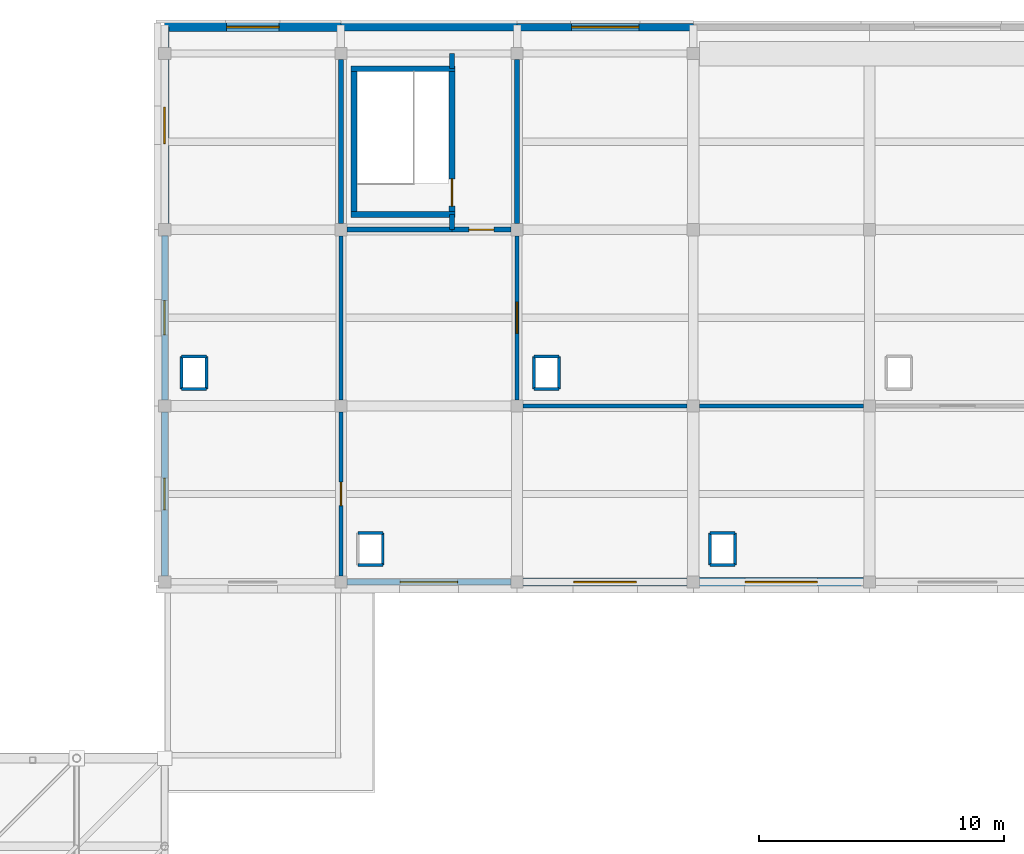
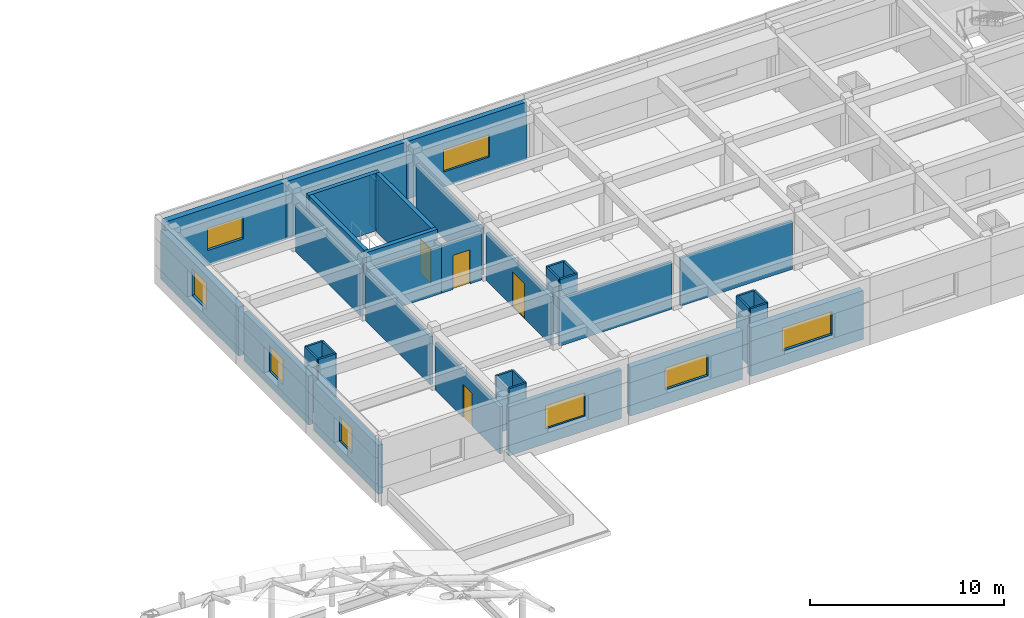
# One storey, part 32 of 40: 39 walls, 8 windows, 4 doors, 12 openings.
"""IFC4 building model written with IfcOpenShell, lengths in metres."""

from ifc_helpers import new_model, si_unit, direction, frame, frame_2d, origin, place, context, subcontext, project, spatial, rectangle, extrude, material, layer, layer_set, type_object, element, fill, save


model = new_model("IFC4")

# Units and contexts
model_context = context("Model", 3, precision=1e-05, world=origin(), true_north=direction((0.0, 1.0)))
body_context = subcontext(model_context, "Body", "Model", "MODEL_VIEW")
ifc_project = project(units=[si_unit("LENGTHUNIT", "METRE"), si_unit("AREAUNIT", "SQUARE_METRE"), si_unit("VOLUMEUNIT", "CUBIC_METRE"), si_unit("PLANEANGLEUNIT", "RADIAN"), si_unit("MASSUNIT", "GRAM", prefix="KILO")], contexts=[model_context])

# Site, building, storey
site_placement = place(None, origin())
site = spatial("IfcSite", under=ifc_project, at=site_placement, CompositionType="ELEMENT")
building_placement = place(site_placement, origin())
building = spatial("IfcBuilding", under=site, at=building_placement, Name="Kavelor Marine Aquarium", CompositionType="ELEMENT")
storey_placement = place(building_placement, frame((0.0, 0.0, 17.639892578125)))
storey = spatial("IfcBuildingStorey", under=building, at=storey_placement, Name="L04", CompositionType="ELEMENT", Elevation=17.639892578125)

# Wall, opening, window
ifc_material_1 = material(Name="Concrete C45/55", Category="concrete")
ifc_layer_1 = layer(ifc_material_1, 0.360107421875)
ifc_layer_set_1 = layer_set([ifc_layer_1], Name="WL-EX1")
wall_type_1 = type_object("IfcWallType", Name="WL-EX1", PredefinedType="STANDARD", material=ifc_layer_set_1)
wall_1_placement = place(storey_placement, frame((39.199951171875, 111.8798828125, 0.0), z_axis=(0.0, 0.0, 1.0), x_axis=(1.0, 0.0, 0.0)))
wall_1 = element("IfcWall", 1, at=wall_1_placement, inside=storey, type_object=wall_type_1, Name="ew:x:L04:05_15", PredefinedType="STANDARD", context=body_context, shape_type="SweptSolid", body=[
    extrude(rectangle(XDim=7.199951171875, YDim=0.360107421875, at=frame_2d((3.60009765625, 0.0))), origin(), (0.0, 0.0, 1.0), 3.630126953125),
])
opening_1_placement = place(wall_1_placement, frame((2.52490234375, 0.0, 0.949951171875)))
opening_1 = element("IfcOpeningElement", 2, at=opening_1_placement, cuts=wall_1, Name="Opening W30", PredefinedType="OPENING", context=body_context, shape_type="SweptSolid", body=[
    extrude(rectangle(XDim=2.14990234375, YDim=1.39990234375, at=frame_2d((1.074951171875, 0.699951171875))), frame((0.0, 0.18994140625, 0.0), z_axis=(0.0, -1.0, 0.0), x_axis=(1.0, 0.0, 0.0)), (0.0, 0.0, 1.0), 0.380107),
])
ifc_material_2 = material(Name="Anodised Aluminium Frame with Low-E Double Glazing", Category="aluminium")
window_type_1 = type_object("IfcWindowType", Name="WIN-W30", PartitioningType="DOUBLE_PANEL_VERTICAL", PredefinedType="WINDOW", material=ifc_material_2)
window_1_placement = place(opening_1_placement, origin())
window_1 = element("IfcWindow", 3, at=window_1_placement, inside=storey, type_object=window_type_1, Name="win:x:L04:05_15", OverallHeight=1.39990234375, OverallWidth=2.14990234375, PartitioningType="SINGLE_PANEL", PredefinedType="WINDOW", context=body_context, shape_type="SweptSolid", body=[
    extrude(rectangle(XDim=2.14990234375, YDim=1.39990234375, at=frame_2d((1.074951171875, 0.699951171875))), frame((0.0, 0.030029296875, 0.0), z_axis=(0.0, -1.0, 0.0), x_axis=(1.0, 0.0, 0.0)), (0.0, 0.0, 1.0), 0.06005859375),
])
fill(opening_1, window_1)

wall_2_placement = place(storey_placement, frame((67.7548828125, 89.199951171875, 0.0), z_axis=(0.0, 0.0, 1.0), x_axis=(-1.0, 0.0, 0.0)))
wall_2 = element("IfcWall", 4, at=wall_2_placement, inside=storey, type_object=wall_type_1, Name="ew:x:L04:08_12", PredefinedType="STANDARD", context=body_context, shape_type="SweptSolid", body=[
    extrude(rectangle(XDim=6.7099609375, YDim=0.360107421875, at=frame_2d((3.35498046875, 0.0))), origin(), (0.0, 0.0, 1.0), 3.080078125),
])
opening_2_placement = place(wall_2_placement, frame((1.8798828125, 0.0, 0.949951171875)))
opening_2 = element("IfcOpeningElement", 5, at=opening_2_placement, cuts=wall_2, Name="Opening W34", PredefinedType="OPENING", context=body_context, shape_type="SweptSolid", body=[
    extrude(rectangle(XDim=2.949951171875, YDim=1.449951171875, at=frame_2d((1.47509765625, 0.72509765625))), frame((0.0, 0.18994140625, 0.0), z_axis=(0.0, -1.0, 0.0), x_axis=(1.0, 0.0, 0.0)), (0.0, 0.0, 1.0), 0.380107),
])
ifc_material_3 = material(Name="Anodised Aluminium Frame with Low-E Double Glazing", Category="aluminium")
window_type_2 = type_object("IfcWindowType", Name="WIN-W34", PartitioningType="DOUBLE_PANEL_VERTICAL", PredefinedType="WINDOW", material=ifc_material_3)
window_2_placement = place(opening_2_placement, origin())
window_2 = element("IfcWindow", 6, at=window_2_placement, inside=storey, type_object=window_type_2, Name="win:x:L04:08_12", OverallHeight=1.449951171875, OverallWidth=2.949951171875, PartitioningType="SINGLE_PANEL", PredefinedType="WINDOW", context=body_context, shape_type="SweptSolid", body=[
    extrude(rectangle(XDim=2.949951171875, YDim=1.449951171875, at=frame_2d((1.47509765625, 0.72509765625))), frame((0.0, 0.030029296875, 0.0), z_axis=(0.0, -1.0, 0.0), x_axis=(1.0, 0.0, 0.0)), (0.0, 0.0, 1.0), 0.06005859375),
])
fill(opening_2, window_2)

# Wall
ifc_material_4 = material(Name="Concrete C45/55", Category="concrete")
ifc_layer_2 = layer(ifc_material_4, 0.320068359375)
ifc_layer_set_2 = layer_set([ifc_layer_2], Name="WL-EX2")
wall_type_2 = type_object("IfcWallType", Name="WL-EX2", PredefinedType="STANDARD", material=ifc_layer_set_2)
wall_3_placement = place(storey_placement, frame((46.39990234375, 111.8798828125, 0.0), z_axis=(0.0, 0.0, 1.0), x_axis=(1.0, 0.0, 0.0)))
element("IfcWall", 7, at=wall_3_placement, inside=storey, type_object=wall_type_2, Name="ew:x:L04:06_15", PredefinedType="STANDARD", context=body_context, shape_type="SweptSolid", body=[
    extrude(rectangle(XDim=7.2001953125, YDim=0.320068359375, at=frame_2d((3.60009765625, 0.0))), origin(), (0.0, 0.0, 1.0), 3.630126953125),
])

# Wall, opening, window
ifc_material_5 = material(Name="Concrete C40/50", Category="concrete")
ifc_layer_3 = layer(ifc_material_5, 0.300048828125)
ifc_layer_set_3 = layer_set([ifc_layer_3], Name="WL-EX3")
wall_type_3 = type_object("IfcWallType", Name="WL-EX3", PredefinedType="STANDARD", material=ifc_layer_set_3)
wall_4_placement = place(storey_placement, frame((53.60009765625, 111.8798828125, 0.0), z_axis=(0.0, 0.0, 1.0), x_axis=(1.0, 0.0, 0.0)))
wall_4 = element("IfcWall", 8, at=wall_4_placement, inside=storey, type_object=wall_type_3, Name="ew:x:L04:07_15", PredefinedType="STANDARD", context=body_context, shape_type="SweptSolid", body=[
    extrude(rectangle(XDim=7.199951171875, YDim=0.300048828125, at=frame_2d((3.60009765625, 0.0))), origin(), (0.0, 0.0, 1.0), 3.630126953125),
])
opening_3_placement = place(wall_4_placement, frame((2.22509765625, 0.0, 0.949951171875)))
opening_3 = element("IfcOpeningElement", 9, at=opening_3_placement, cuts=wall_4, Name="Opening W33", PredefinedType="OPENING", context=body_context, shape_type="SweptSolid", body=[
    extrude(rectangle(XDim=2.75, YDim=1.39990234375, at=frame_2d((1.375, 0.699951171875))), frame((0.0, 0.159912109375, 0.0), z_axis=(0.0, -1.0, 0.0), x_axis=(1.0, 0.0, 0.0)), (0.0, 0.0, 1.0), 0.320049),
])
ifc_material_6 = material(Name="Anodised Aluminium Frame with Low-E Double Glazing", Category="aluminium")
window_type_3 = type_object("IfcWindowType", Name="WIN-W33", PartitioningType="DOUBLE_PANEL_VERTICAL", PredefinedType="WINDOW", material=ifc_material_6)
window_3_placement = place(opening_3_placement, origin())
window_3 = element("IfcWindow", 10, at=window_3_placement, inside=storey, type_object=window_type_3, Name="win:x:L04:07_15", OverallHeight=1.39990234375, OverallWidth=2.75, PartitioningType="SINGLE_PANEL", PredefinedType="WINDOW", context=body_context, shape_type="SweptSolid", body=[
    extrude(rectangle(XDim=2.75, YDim=1.39990234375, at=frame_2d((1.375, 0.699951171875))), frame((0.0, 0.030029296875, 0.0), z_axis=(0.0, -1.0, 0.0), x_axis=(1.0, 0.0, 0.0)), (0.0, 0.0, 1.0), 0.06005859375),
])
fill(opening_3, window_3)

ifc_material_7 = material(Name="Concrete C40/50", Category="concrete")
ifc_layer_4 = layer(ifc_material_7, 0.280029296875)
ifc_layer_set_4 = layer_set([ifc_layer_4], Name="WL-EX4")
wall_type_4 = type_object("IfcWallType", Name="WL-EX4", PredefinedType="STANDARD", material=ifc_layer_set_4)
wall_5_placement = place(storey_placement, frame((39.199951171875, 89.445068359375, 0.0), z_axis=(0.0, 0.0, 1.0), x_axis=(0.0, 1.0, 0.0)))
wall_5 = element("IfcWall", 11, at=wall_5_placement, inside=storey, type_object=wall_type_4, Name="ew:y:L04:05_12", PredefinedType="STANDARD", context=body_context, shape_type="SweptSolid", body=[
    extrude(rectangle(XDim=6.7099609375, YDim=0.280029296875, at=frame_2d((3.35498046875, 0.0))), origin(), (0.0, 0.0, 1.0), 3.080078125),
])
opening_4_placement = place(wall_5_placement, frame((2.705078125, 0.0, 0.949951171875)))
opening_4 = element("IfcOpeningElement", 12, at=opening_4_placement, cuts=wall_5, Name="Opening W03", PredefinedType="OPENING", context=body_context, shape_type="SweptSolid", body=[
    extrude(rectangle(XDim=1.300048828125, YDim=1.550048828125, at=frame_2d((0.64990234375, 0.77490234375))), frame((0.0, 0.14990234375, 0.0), z_axis=(0.0, -1.0, 0.0), x_axis=(1.0, 0.0, 0.0)), (0.0, 0.0, 1.0), 0.300029),
])
ifc_material_8 = material(Name="Anodised Aluminium Frame with Low-E Double Glazing", Category="aluminium")
window_type_4 = type_object("IfcWindowType", Name="WIN-W03", PartitioningType="SINGLE_PANEL", PredefinedType="WINDOW", material=ifc_material_8)
window_4_placement = place(opening_4_placement, origin())
window_4 = element("IfcWindow", 13, at=window_4_placement, inside=storey, type_object=window_type_4, Name="win:y:L04:05_12", OverallHeight=1.550048828125, OverallWidth=1.300048828125, PartitioningType="SINGLE_PANEL", PredefinedType="WINDOW", context=body_context, shape_type="SweptSolid", body=[
    extrude(rectangle(XDim=1.300048828125, YDim=1.550048828125, at=frame_2d((0.64990234375, 0.77490234375))), frame((0.0, 0.030029296875, 0.0), z_axis=(0.0, -1.0, 0.0), x_axis=(1.0, 0.0, 0.0)), (0.0, 0.0, 1.0), 0.06005859375),
])
fill(opening_4, window_4)

ifc_material_9 = material(Name="Concrete C40/50", Category="concrete")
ifc_layer_5 = layer(ifc_material_9, 0.260009765625)
ifc_layer_set_5 = layer_set([ifc_layer_5], Name="WL-EX5")
wall_type_5 = type_object("IfcWallType", Name="WL-EX5", PredefinedType="STANDARD", material=ifc_layer_set_5)
wall_6_placement = place(storey_placement, frame((53.35498046875, 89.199951171875, 0.0), z_axis=(0.0, 0.0, 1.0), x_axis=(-1.0, 0.0, 0.0)))
wall_6 = element("IfcWall", 14, at=wall_6_placement, inside=storey, type_object=wall_type_5, Name="ew:x:L04:06_12", PredefinedType="STANDARD", context=body_context, shape_type="SweptSolid", body=[
    extrude(rectangle(XDim=6.7099609375, YDim=0.260009765625, at=frame_2d((3.35498046875, 0.0))), origin(), (0.0, 0.0, 1.0), 3.080078125),
])
opening_5_placement = place(wall_6_placement, frame((2.179931640625, 0.0, 0.949951171875)))
opening_5 = element("IfcOpeningElement", 15, at=opening_5_placement, cuts=wall_6, Name="Opening W31", PredefinedType="OPENING", context=body_context, shape_type="SweptSolid", body=[
    extrude(rectangle(XDim=2.35009765625, YDim=1.449951171875, at=frame_2d((1.175048828125, 0.72509765625))), frame((0.0, 0.139892578125, 0.0), z_axis=(0.0, -1.0, 0.0), x_axis=(1.0, 0.0, 0.0)), (0.0, 0.0, 1.0), 0.28001),
])
ifc_material_10 = material(Name="Anodised Aluminium Frame with Low-E Double Glazing", Category="aluminium")
window_type_5 = type_object("IfcWindowType", Name="WIN-W31", PartitioningType="DOUBLE_PANEL_VERTICAL", PredefinedType="WINDOW", material=ifc_material_10)
window_5_placement = place(opening_5_placement, origin())
window_5 = element("IfcWindow", 16, at=window_5_placement, inside=storey, type_object=window_type_5, Name="win:x:L04:06_12", OverallHeight=1.449951171875, OverallWidth=2.35009765625, PartitioningType="SINGLE_PANEL", PredefinedType="WINDOW", context=body_context, shape_type="SweptSolid", body=[
    extrude(rectangle(XDim=2.35009765625, YDim=1.449951171875, at=frame_2d((1.175048828125, 0.72509765625))), frame((0.0, 0.030029296875, 0.0), z_axis=(0.0, -1.0, 0.0), x_axis=(1.0, 0.0, 0.0)), (0.0, 0.0, 1.0), 0.06005859375),
])
fill(opening_5, window_5)

wall_7_placement = place(storey_placement, frame((39.199951171875, 96.64501953125, 0.0), z_axis=(0.0, 0.0, 1.0), x_axis=(0.0, 1.0, 0.0)))
wall_7 = element("IfcWall", 17, at=wall_7_placement, inside=storey, type_object=wall_type_5, Name="ew:y:L04:05_13", PredefinedType="STANDARD", context=body_context, shape_type="SweptSolid", body=[
    extrude(rectangle(XDim=6.7099609375, YDim=0.260009765625, at=frame_2d((3.35498046875, 0.0))), origin(), (0.0, 0.0, 1.0), 3.080078125),
])
opening_6_placement = place(wall_7_placement, frame((2.655029296875, 0.0, 0.949951171875)))
opening_6 = element("IfcOpeningElement", 18, at=opening_6_placement, cuts=wall_7, Name="Opening W04", PredefinedType="OPENING", context=body_context, shape_type="SweptSolid", body=[
    extrude(rectangle(XDim=1.39990234375, YDim=1.60009765625, at=frame_2d((0.699951171875, 0.800048828125))), frame((0.0, 0.139892578125, 0.0), z_axis=(0.0, -1.0, 0.0), x_axis=(1.0, 0.0, 0.0)), (0.0, 0.0, 1.0), 0.28001),
])
ifc_material_11 = material(Name="Anodised Aluminium Frame with Low-E Double Glazing", Category="aluminium")
window_type_6 = type_object("IfcWindowType", Name="WIN-W04", PartitioningType="SINGLE_PANEL", PredefinedType="WINDOW", material=ifc_material_11)
window_6_placement = place(opening_6_placement, origin())
window_6 = element("IfcWindow", 19, at=window_6_placement, inside=storey, type_object=window_type_6, Name="win:y:L04:05_13", OverallHeight=1.60009765625, OverallWidth=1.39990234375, PartitioningType="SINGLE_PANEL", PredefinedType="WINDOW", context=body_context, shape_type="SweptSolid", body=[
    extrude(rectangle(XDim=1.39990234375, YDim=1.60009765625, at=frame_2d((0.699951171875, 0.800048828125))), frame((0.0, 0.030029296875, 0.0), z_axis=(0.0, -1.0, 0.0), x_axis=(1.0, 0.0, 0.0)), (0.0, 0.0, 1.0), 0.06005859375),
])
fill(opening_6, window_6)

ifc_material_12 = material(Name="Concrete C45/55", Category="concrete")
ifc_layer_6 = layer(ifc_material_12, 0.340087890625)
ifc_layer_set_6 = layer_set([ifc_layer_6], Name="WL-EX6")
wall_type_6 = type_object("IfcWallType", Name="WL-EX6", PredefinedType="STANDARD", material=ifc_layer_set_6)
wall_8_placement = place(storey_placement, frame((60.554931640625, 89.199951171875, 0.0), z_axis=(0.0, 0.0, 1.0), x_axis=(-1.0, 0.0, 0.0)))
wall_8 = element("IfcWall", 20, at=wall_8_placement, inside=storey, type_object=wall_type_6, Name="ew:x:L04:07_12", PredefinedType="STANDARD", context=body_context, shape_type="SweptSolid", body=[
    extrude(rectangle(XDim=6.7099609375, YDim=0.340087890625, at=frame_2d((3.35498046875, 0.0))), origin(), (0.0, 0.0, 1.0), 3.080078125),
])
opening_7_placement = place(wall_8_placement, frame((2.080078125, 0.0, 0.949951171875)))
opening_7 = element("IfcOpeningElement", 21, at=opening_7_placement, cuts=wall_8, Name="Opening W32", PredefinedType="OPENING", context=body_context, shape_type="SweptSolid", body=[
    extrude(rectangle(XDim=2.550048828125, YDim=1.35009765625, at=frame_2d((1.27490234375, 0.675048828125))), frame((0.0, 0.179931640625, 0.0), z_axis=(0.0, -1.0, 0.0), x_axis=(1.0, 0.0, 0.0)), (0.0, 0.0, 1.0), 0.360088),
])
ifc_material_13 = material(Name="Anodised Aluminium Frame with Low-E Double Glazing", Category="aluminium")
window_type_7 = type_object("IfcWindowType", Name="WIN-W32", PartitioningType="DOUBLE_PANEL_VERTICAL", PredefinedType="WINDOW", material=ifc_material_13)
window_7_placement = place(opening_7_placement, origin())
window_7 = element("IfcWindow", 22, at=window_7_placement, inside=storey, type_object=window_type_7, Name="win:x:L04:07_12", OverallHeight=1.35009765625, OverallWidth=2.550048828125, PartitioningType="SINGLE_PANEL", PredefinedType="WINDOW", context=body_context, shape_type="SweptSolid", body=[
    extrude(rectangle(XDim=2.550048828125, YDim=1.35009765625, at=frame_2d((1.27490234375, 0.675048828125))), frame((0.0, 0.030029296875, 0.0), z_axis=(0.0, -1.0, 0.0), x_axis=(1.0, 0.0, 0.0)), (0.0, 0.0, 1.0), 0.06005859375),
])
fill(opening_7, window_7)

wall_9_placement = place(storey_placement, frame((39.199951171875, 103.844970703125, 0.0), z_axis=(0.0, 0.0, 1.0), x_axis=(0.0, 1.0, 0.0)))
wall_9 = element("IfcWall", 23, at=wall_9_placement, inside=storey, type_object=wall_type_6, Name="ew:y:L04:05_14", PredefinedType="STANDARD", context=body_context, shape_type="SweptSolid", body=[
    extrude(rectangle(XDim=8.034912109375, YDim=0.340087890625, at=frame_2d((4.017578125, 0.0))), origin(), (0.0, 0.0, 1.0), 3.080078125),
])
opening_8_placement = place(wall_9_placement, frame((3.267578125, 0.0, 0.949951171875)))
opening_8 = element("IfcOpeningElement", 24, at=opening_8_placement, cuts=wall_9, Name="Opening W05", PredefinedType="OPENING", context=body_context, shape_type="SweptSolid", body=[
    extrude(rectangle(XDim=1.5, YDim=1.64990234375, at=frame_2d((0.75, 0.824951171875))), frame((0.0, 0.179931640625, 0.0), z_axis=(0.0, -1.0, 0.0), x_axis=(1.0, 0.0, 0.0)), (0.0, 0.0, 1.0), 0.360088),
])
ifc_material_14 = material(Name="Anodised Aluminium Frame with Low-E Double Glazing", Category="aluminium")
window_type_8 = type_object("IfcWindowType", Name="WIN-W05", PartitioningType="SINGLE_PANEL", PredefinedType="WINDOW", material=ifc_material_14)
window_8_placement = place(opening_8_placement, origin())
window_8 = element("IfcWindow", 25, at=window_8_placement, inside=storey, type_object=window_type_8, Name="win:y:L04:05_14", OverallHeight=1.64990234375, OverallWidth=1.5, PartitioningType="SINGLE_PANEL", PredefinedType="WINDOW", context=body_context, shape_type="SweptSolid", body=[
    extrude(rectangle(XDim=1.5, YDim=1.64990234375, at=frame_2d((0.75, 0.824951171875))), frame((0.0, 0.030029296875, 0.0), z_axis=(0.0, -1.0, 0.0), x_axis=(1.0, 0.0, 0.0)), (0.0, 0.0, 1.0), 0.06005859375),
])
fill(opening_8, window_8)

# Walls
ifc_material_15 = material(Name="Concrete Blockwork Partition", Category="masonry")
ifc_layer_7 = layer(ifc_material_15, 0.199951171875)
ifc_layer_set_7 = layer_set([ifc_layer_7], Name="WL-PT1")
wall_type_7 = type_object("IfcWallType", Name="WL-PT1", PredefinedType="PARTITIONING", material=ifc_layer_set_7)
wall_10_placement = place(storey_placement, frame((50.93994140625, 103.60009765625, 0.0), z_axis=(0.0, 0.0, 1.0), x_axis=(0.0, 1.0, 0.0)))
element("IfcWall", 26, at=wall_10_placement, inside=storey, type_object=wall_type_7, Name="pt:st_close:s:C05:L04", PredefinedType="PARTITIONING", context=body_context, shape_type="SweptSolid", body=[
    extrude(rectangle(XDim=0.619873046875, YDim=0.199951171875, at=frame_2d((0.31005859375, 0.0))), origin(), (0.0, 0.0, 1.0), 2.980224609375),
])
wall_11_placement = place(storey_placement, frame((50.93994140625, 110.179931640625, 0.0), z_axis=(0.0, 0.0, 1.0), x_axis=(0.0, 1.0, 0.0)))
element("IfcWall", 27, at=wall_11_placement, inside=storey, type_object=wall_type_7, Name="pt:st_close:n:C05:L04", PredefinedType="PARTITIONING", context=body_context, shape_type="SweptSolid", body=[
    extrude(rectangle(XDim=0.6201171875, YDim=0.199951171875, at=frame_2d((0.31005859375, 0.0))), origin(), (0.0, 0.0, 1.0), 3.080078125),
])
for number, where, z_axis, x_axis, name in (
    (28, (46.39990234375, 103.85009765625, 0.0), (0.0, 0.0, 1.0), (0.0, 1.0, 0.0), "pt:lob:C05:L04:w"),
    (29, (53.60009765625, 103.85009765625, 0.0), (0.0, 0.0, 1.0), (0.0, 1.0, 0.0), "pt:lob:C05:L04:e"),
):
    element("IfcWall", number, at=place(storey_placement, frame(where, z_axis=z_axis, x_axis=x_axis)), inside=storey, type_object=wall_type_7, Name=name, PredefinedType="PARTITIONING", context=body_context, shape_type="SweptSolid", body=[
        extrude(rectangle(XDim=6.699951171875, YDim=0.199951171875, at=frame_2d((3.35009765625, 0.0))), origin(), (0.0, 0.0, 1.0), 2.980224609375),
    ])
wall_12_placement = place(storey_placement, frame((46.64990234375, 103.60009765625, 0.0), z_axis=(0.0, 0.0, 1.0), x_axis=(1.0, 0.0, 0.0)))
element("IfcWall", 30, at=wall_12_placement, inside=storey, type_object=wall_type_7, Name="pt:lob:C05:L04:s_st", PredefinedType="PARTITIONING", context=body_context, shape_type="SweptSolid", body=[
    extrude(rectangle(XDim=4.2900390625, YDim=0.199951171875, at=frame_2d((2.14501953125, 0.0))), origin(), (0.0, 0.0, 1.0), 2.980224609375),
])

# Wall, opening, door
wall_13_placement = place(storey_placement, frame((50.93994140625, 103.60009765625, 0.0), z_axis=(0.0, 0.0, 1.0), x_axis=(1.0, 0.0, 0.0)))
wall_13 = element("IfcWall", 31, at=wall_13_placement, inside=storey, type_object=wall_type_7, Name="pt:lob:C05:L04:s", PredefinedType="PARTITIONING", context=body_context, shape_type="SweptSolid", body=[
    extrude(rectangle(XDim=2.41015625, YDim=0.199951171875, at=frame_2d((1.205078125, 0.0))), origin(), (0.0, 0.0, 1.0), 2.980224609375),
])
opening_9_placement = place(wall_13_placement, frame((0.695068359375, 0.0, 0.0)))
opening_9 = element("IfcOpeningElement", 32, at=opening_9_placement, cuts=wall_13, Name="Opening SD1", PredefinedType="OPENING", context=body_context, shape_type="SweptSolid", body=[
    extrude(rectangle(XDim=1.02001953125, YDim=2.14990234375, at=frame_2d((0.510009765625, 1.074951171875))), frame((0.0, 0.10986328125, 0.0), z_axis=(0.0, -1.0, 0.0), x_axis=(1.0, 0.0, 0.0)), (0.0, 0.0, 1.0), 0.219951),
])
ifc_material_16 = material(Name="Fire-Rated Corridor Compartment Door")
door_type_1 = type_object("IfcDoorType", Name="DR-SD1", OperationType="NOTDEFINED", PredefinedType="DOOR", material=ifc_material_16)
door_1_placement = place(opening_9_placement, origin())
door_1 = element("IfcDoor", 33, at=door_1_placement, inside=storey, type_object=door_type_1, Name="Core Lobby Fire Door C05-L04", OperationType="SINGLE_SWING_RIGHT", OverallHeight=2.14990234375, OverallWidth=1.02001953125, PredefinedType="DOOR", context=body_context, shape_type="SweptSolid", body=[
    extrude(rectangle(XDim=1.02001953125, YDim=2.14990234375, at=frame_2d((0.510009765625, 1.074951171875))), frame((0.0, 0.02490234375, 0.0), z_axis=(0.0, -1.0, 0.0), x_axis=(1.0, 0.0, 0.0)), (0.0, 0.0, 1.0), 0.050048828125),
])
fill(opening_9, door_1)

ifc_material_17 = material(Name="Acoustic Gypsum Stud Partition")
ifc_layer_8 = layer(ifc_material_17, 0.159912109375)
ifc_layer_set_8 = layer_set([ifc_layer_8], Name="WL-PT2")
wall_type_8 = type_object("IfcWallType", Name="WL-PT2", PredefinedType="PARTITIONING", material=ifc_layer_set_8)
wall_14_placement = place(storey_placement, frame((46.39990234375, 89.449951171875, 0.0), z_axis=(0.0, 0.0, 1.0), x_axis=(0.0, 1.0, 0.0)))
wall_14 = element("IfcWall", 34, at=wall_14_placement, inside=storey, type_object=wall_type_8, Name="pt:y:L04:05_12", PredefinedType="PARTITIONING", context=body_context, shape_type="SweptSolid", body=[
    extrude(rectangle(XDim=6.699951171875, YDim=0.159912109375, at=frame_2d((3.35009765625, 0.0))), origin(), (0.0, 0.0, 1.0), 2.980224609375),
])
opening_10_placement = place(wall_14_placement, frame((2.8701171875, 0.0, 0.0)))
opening_10 = element("IfcOpeningElement", 35, at=opening_10_placement, cuts=wall_14, Name="Opening D01", PredefinedType="OPENING", context=body_context, shape_type="SweptSolid", body=[
    extrude(rectangle(XDim=0.9599609375, YDim=2.10009765625, at=frame_2d((0.47998046875, 1.050048828125))), frame((0.0, 0.08984375, 0.0), z_axis=(0.0, -1.0, 0.0), x_axis=(1.0, 0.0, 0.0)), (0.0, 0.0, 1.0), 0.179912),
])
ifc_material_18 = material(Name="Solid-Core Acoustic Timber Laboratory Door", Category="wood")
door_type_2 = type_object("IfcDoorType", Name="DR-D01", OperationType="NOTDEFINED", PredefinedType="DOOR", material=ifc_material_18)
door_2_placement = place(opening_10_placement, origin())
door_2 = element("IfcDoor", 36, at=door_2_placement, inside=storey, type_object=door_type_2, Name="dr:rm:pt:y:L04:05_12:0", OperationType="SINGLE_SWING_RIGHT", OverallHeight=2.10009765625, OverallWidth=0.9599609375, PredefinedType="DOOR", context=body_context, shape_type="SweptSolid", body=[
    extrude(rectangle(XDim=0.9599609375, YDim=2.10009765625, at=frame_2d((0.47998046875, 1.050048828125))), frame((0.0, 0.02490234375, 0.0), z_axis=(0.0, -1.0, 0.0), x_axis=(1.0, 0.0, 0.0)), (0.0, 0.0, 1.0), 0.050048828125),
])
fill(opening_10, door_2)

# Wall
wall_15_placement = place(storey_placement, frame((46.39990234375, 96.64990234375, 0.0), z_axis=(0.0, 0.0, 1.0), x_axis=(0.0, 1.0, 0.0)))
element("IfcWall", 37, at=wall_15_placement, inside=storey, type_object=wall_type_8, Name="pt:y:L04:05_13", PredefinedType="PARTITIONING", context=body_context, shape_type="SweptSolid", body=[
    extrude(rectangle(XDim=6.7001953125, YDim=0.159912109375, at=frame_2d((3.35009765625, 0.0))), origin(), (0.0, 0.0, 1.0), 3.030029296875),
])

# Wall, opening, door
wall_16_placement = place(storey_placement, frame((53.60009765625, 96.64990234375, 0.0), z_axis=(0.0, 0.0, 1.0), x_axis=(0.0, 1.0, 0.0)))
wall_16 = element("IfcWall", 38, at=wall_16_placement, inside=storey, type_object=wall_type_8, Name="pt:y:L04:06_13", PredefinedType="PARTITIONING", context=body_context, shape_type="SweptSolid", body=[
    extrude(rectangle(XDim=6.7001953125, YDim=0.159912109375, at=frame_2d((3.35009765625, 0.0))), origin(), (0.0, 0.0, 1.0), 3.030029296875),
])
opening_11_placement = place(wall_16_placement, frame((2.7099609375, 0.0, 0.0)))
opening_11 = element("IfcOpeningElement", 39, at=opening_11_placement, cuts=wall_16, Name="Opening D10", PredefinedType="OPENING", context=body_context, shape_type="SweptSolid", body=[
    extrude(rectangle(XDim=1.280029296875, YDim=2.199951171875, at=frame_2d((0.64013671875, 1.10009765625))), frame((0.0, 0.08984375, 0.0), z_axis=(0.0, -1.0, 0.0), x_axis=(1.0, 0.0, 0.0)), (0.0, 0.0, 1.0), 0.179912),
])
ifc_material_19 = material(Name="Equipment Store Wide Leaf Door")
door_type_3 = type_object("IfcDoorType", Name="DR-D10", OperationType="NOTDEFINED", PredefinedType="DOOR", material=ifc_material_19)
door_3_placement = place(opening_11_placement, origin())
door_3 = element("IfcDoor", 40, at=door_3_placement, inside=storey, type_object=door_type_3, Name="dr:rm:pt:y:L04:06_13:0", OperationType="SINGLE_SWING_LEFT", OverallHeight=2.199951171875, OverallWidth=1.280029296875, PredefinedType="DOOR", context=body_context, shape_type="SweptSolid", body=[
    extrude(rectangle(XDim=1.280029296875, YDim=2.199951171875, at=frame_2d((0.64013671875, 1.10009765625))), frame((0.0, 0.02490234375, 0.0), z_axis=(0.0, -1.0, 0.0), x_axis=(1.0, 0.0, 0.0)), (0.0, 0.0, 1.0), 0.050048828125),
])
fill(opening_11, door_3)

# Walls
wall_17_placement = place(storey_placement, frame((53.85009765625, 96.39990234375, 0.0), z_axis=(0.0, 0.0, 1.0), x_axis=(1.0, 0.0, 0.0)))
element("IfcWall", 41, at=wall_17_placement, inside=storey, type_object=wall_type_8, Name="pt:x:L04:07_12", PredefinedType="PARTITIONING", context=body_context, shape_type="SweptSolid", body=[
    extrude(rectangle(XDim=6.699951171875, YDim=0.159912109375, at=frame_2d((3.35009765625, 0.0))), origin(), (0.0, 0.0, 1.0), 2.980224609375),
])
wall_18_placement = place(storey_placement, frame((61.050048828125, 96.39990234375, 0.0), z_axis=(0.0, 0.0, 1.0), x_axis=(1.0, 0.0, 0.0)))
element("IfcWall", 42, at=wall_18_placement, inside=storey, type_object=wall_type_8, Name="pt:x:L04:08_12", PredefinedType="PARTITIONING", context=body_context, shape_type="SweptSolid", body=[
    extrude(rectangle(XDim=6.699951171875, YDim=0.159912109375, at=frame_2d((3.35009765625, 0.0))), origin(), (0.0, 0.0, 1.0), 3.030029296875),
])
ifc_material_20 = material(Name="Lightweight Drywall Partition")
ifc_layer_9 = layer(ifc_material_20, 0.1201171875)
ifc_layer_set_9 = layer_set([ifc_layer_9], Name="WL-PT4")
wall_type_9 = type_object("IfcWallType", Name="WL-PT4", PredefinedType="PARTITIONING", material=ifc_layer_set_9)
for number, where, z_axis, x_axis, name in (
    (43, (39.889892578125, 97.090087890625, 0.0), (0.0, 0.0, 1.0), (1.0, 0.0, 0.0), "riser:s:L04:05_13"),
    (44, (39.889892578125, 98.409912109375, 0.0), (0.0, 0.0, 1.0), (1.0, 0.0, 0.0), "riser:n:L04:05_13"),
):
    element("IfcWall", number, at=place(storey_placement, frame(where, z_axis=z_axis, x_axis=x_axis)), inside=storey, type_object=wall_type_9, Name=name, PredefinedType="PARTITIONING", context=body_context, shape_type="SweptSolid", body=[
        extrude(rectangle(XDim=1.02001953125, YDim=0.1201171875, at=frame_2d((0.510009765625, 0.0))), origin(), (0.0, 0.0, 1.0), 3.6201171875),
    ])
for number, where, z_axis, x_axis, name in (
    (45, (39.889892578125, 97.090087890625, 0.0), (0.0, 0.0, 1.0), (0.0, 1.0, 0.0), "riser:w:L04:05_13"),
    (46, (40.909912109375, 97.090087890625, 0.0), (0.0, 0.0, 1.0), (0.0, 1.0, 0.0), "riser:e:L04:05_13"),
):
    element("IfcWall", number, at=place(storey_placement, frame(where, z_axis=z_axis, x_axis=x_axis)), inside=storey, type_object=wall_type_9, Name=name, PredefinedType="PARTITIONING", context=body_context, shape_type="SweptSolid", body=[
        extrude(rectangle(XDim=1.31982421875, YDim=0.1201171875, at=frame_2d((0.659912109375, 0.0))), origin(), (0.0, 0.0, 1.0), 3.6201171875),
    ])
for number, where, z_axis, x_axis, name in (
    (47, (47.090087890625, 89.889892578125, 0.0), (0.0, 0.0, 1.0), (1.0, 0.0, 0.0), "riser:s:L04:06_12"),
    (48, (47.090087890625, 91.2099609375, 0.0), (0.0, 0.0, 1.0), (1.0, 0.0, 0.0), "riser:n:L04:06_12"),
):
    element("IfcWall", number, at=place(storey_placement, frame(where, z_axis=z_axis, x_axis=x_axis)), inside=storey, type_object=wall_type_9, Name=name, PredefinedType="PARTITIONING", context=body_context, shape_type="SweptSolid", body=[
        extrude(rectangle(XDim=1.02001953125, YDim=0.1201171875, at=frame_2d((0.510009765625, 0.0))), origin(), (0.0, 0.0, 1.0), 3.6201171875),
    ])
wall_19_placement = place(storey_placement, frame((48.110107421875, 89.889892578125, 0.0), z_axis=(0.0, 0.0, 1.0), x_axis=(0.0, 1.0, 0.0)))
element("IfcWall", 49, at=wall_19_placement, inside=storey, type_object=wall_type_9, Name="riser:e:L04:06_12", PredefinedType="PARTITIONING", context=body_context, shape_type="SweptSolid", body=[
    extrude(rectangle(XDim=1.320068359375, YDim=0.1201171875, at=frame_2d((0.66015625, 0.0))), origin(), (0.0, 0.0, 1.0), 3.6201171875),
])
for number, where, z_axis, x_axis, name in (
    (50, (54.2900390625, 97.090087890625, 0.0), (0.0, 0.0, 1.0), (1.0, 0.0, 0.0), "riser:s:L04:07_13"),
    (51, (54.2900390625, 98.409912109375, 0.0), (0.0, 0.0, 1.0), (1.0, 0.0, 0.0), "riser:n:L04:07_13"),
):
    element("IfcWall", number, at=place(storey_placement, frame(where, z_axis=z_axis, x_axis=x_axis)), inside=storey, type_object=wall_type_9, Name=name, PredefinedType="PARTITIONING", context=body_context, shape_type="SweptSolid", body=[
        extrude(rectangle(XDim=1.02001953125, YDim=0.1201171875, at=frame_2d((0.510009765625, 0.0))), origin(), (0.0, 0.0, 1.0), 3.6201171875),
    ])
for number, where, z_axis, x_axis, name in (
    (52, (54.2900390625, 97.090087890625, 0.0), (0.0, 0.0, 1.0), (0.0, 1.0, 0.0), "riser:w:L04:07_13"),
    (53, (55.31005859375, 97.090087890625, 0.0), (0.0, 0.0, 1.0), (0.0, 1.0, 0.0), "riser:e:L04:07_13"),
):
    element("IfcWall", number, at=place(storey_placement, frame(where, z_axis=z_axis, x_axis=x_axis)), inside=storey, type_object=wall_type_9, Name=name, PredefinedType="PARTITIONING", context=body_context, shape_type="SweptSolid", body=[
        extrude(rectangle(XDim=1.31982421875, YDim=0.1201171875, at=frame_2d((0.659912109375, 0.0))), origin(), (0.0, 0.0, 1.0), 3.6201171875),
    ])
for number, where, z_axis, x_axis, name in (
    (54, (61.489990234375, 89.889892578125, 0.0), (0.0, 0.0, 1.0), (1.0, 0.0, 0.0), "riser:s:L04:08_12"),
    (55, (61.489990234375, 91.2099609375, 0.0), (0.0, 0.0, 1.0), (1.0, 0.0, 0.0), "riser:n:L04:08_12"),
):
    element("IfcWall", number, at=place(storey_placement, frame(where, z_axis=z_axis, x_axis=x_axis)), inside=storey, type_object=wall_type_9, Name=name, PredefinedType="PARTITIONING", context=body_context, shape_type="SweptSolid", body=[
        extrude(rectangle(XDim=1.02001953125, YDim=0.1201171875, at=frame_2d((0.510009765625, 0.0))), origin(), (0.0, 0.0, 1.0), 3.6201171875),
    ])
for number, where, z_axis, x_axis, name in (
    (56, (61.489990234375, 89.889892578125, 0.0), (0.0, 0.0, 1.0), (0.0, 1.0, 0.0), "riser:w:L04:08_12"),
    (57, (62.510009765625, 89.889892578125, 0.0), (0.0, 0.0, 1.0), (0.0, 1.0, 0.0), "riser:e:L04:08_12"),
):
    element("IfcWall", number, at=place(storey_placement, frame(where, z_axis=z_axis, x_axis=x_axis)), inside=storey, type_object=wall_type_9, Name=name, PredefinedType="PARTITIONING", context=body_context, shape_type="SweptSolid", body=[
        extrude(rectangle(XDim=1.320068359375, YDim=0.1201171875, at=frame_2d((0.66015625, 0.0))), origin(), (0.0, 0.0, 1.0), 3.6201171875),
    ])
ifc_material_21 = material(Name="Concrete C40/50", Category="concrete")
ifc_layer_10 = layer(ifc_material_21, 0.35009765625)
ifc_layer_set_10 = layer_set([ifc_layer_10], Name="WL-SW2")
wall_type_10 = type_object("IfcWallType", Name="WL-SW2", PredefinedType="SHEAR", material=ifc_layer_set_10)
for number, where, z_axis, x_axis, name in (
    (58, (46.820068359375, 104.219970703125, 0.0), (0.0, 0.0, 1.0), (1.0, 0.0, 0.0), "cw_st:s:C05:L04"),
    (59, (46.820068359375, 110.179931640625, 0.0), (0.0, 0.0, 1.0), (1.0, 0.0, 0.0), "cw_st:n:C05:L04"),
):
    element("IfcWall", number, at=place(storey_placement, frame(where, z_axis=z_axis, x_axis=x_axis)), inside=storey, type_object=wall_type_10, Name=name, PredefinedType="SHEAR", context=body_context, shape_type="SweptSolid", body=[
        extrude(rectangle(XDim=4.239990234375, YDim=0.239990234375, at=frame_2d((2.1201171875, 0.0))), origin(), (0.0, 0.0, 1.0), 3.64013671875),
    ])
wall_20_placement = place(storey_placement, frame((46.93994140625, 104.340087890625, 0.0), z_axis=(0.0, 0.0, 1.0), x_axis=(0.0, 1.0, 0.0)))
element("IfcWall", 60, at=wall_20_placement, inside=storey, type_object=wall_type_10, Name="cw_st:w:C05:L04", PredefinedType="SHEAR", context=body_context, shape_type="SweptSolid", body=[
    extrude(rectangle(XDim=5.719970703125, YDim=0.239990234375, at=frame_2d((2.85986328125, 0.0))), origin(), (0.0, 0.0, 1.0), 3.64013671875),
])

# Wall, opening, door
wall_21_placement = place(storey_placement, frame((50.93994140625, 104.340087890625, 0.0), z_axis=(0.0, 0.0, 1.0), x_axis=(0.0, 1.0, 0.0)))
wall_21 = element("IfcWall", 61, at=wall_21_placement, inside=storey, type_object=wall_type_10, Name="cw_st:e:C05:L04", PredefinedType="SHEAR", context=body_context, shape_type="SweptSolid", body=[
    extrude(rectangle(XDim=5.719970703125, YDim=0.239990234375, at=frame_2d((2.85986328125, 0.0))), origin(), (0.0, 0.0, 1.0), 3.64013671875),
])
opening_12_placement = place(wall_21_placement, frame((0.219970703125, 0.0, 0.0)))
opening_12 = element("IfcOpeningElement", 62, at=opening_12_placement, cuts=wall_21, Name="Opening FD1", PredefinedType="OPENING", context=body_context, shape_type="SweptSolid", body=[
    extrude(rectangle(XDim=1.1201171875, YDim=2.14990234375, at=frame_2d((0.56005859375, 1.074951171875))), frame((0.0, 0.1298828125, 0.0), z_axis=(0.0, -1.0, 0.0), x_axis=(1.0, 0.0, 0.0)), (0.0, 0.0, 1.0), 0.25999),
])
ifc_material_22 = material(Name="Fire-Rated Steel Stair and Core Door", Category="steel")
door_type_4 = type_object("IfcDoorType", Name="DR-FD1", OperationType="NOTDEFINED", PredefinedType="DOOR", material=ifc_material_22)
door_4_placement = place(opening_12_placement, origin())
door_4 = element("IfcDoor", 63, at=door_4_placement, inside=storey, type_object=door_type_4, Name="Stair Fire Door ST05-L04", OperationType="SINGLE_SWING_LEFT", OverallHeight=2.14990234375, OverallWidth=1.1201171875, PredefinedType="DOOR", context=body_context, shape_type="SweptSolid", body=[
    extrude(rectangle(XDim=1.1201171875, YDim=2.14990234375, at=frame_2d((0.56005859375, 1.074951171875))), frame((0.0, 0.02490234375, 0.0), z_axis=(0.0, -1.0, 0.0), x_axis=(1.0, 0.0, 0.0)), (0.0, 0.0, 1.0), 0.050048828125),
])
fill(opening_12, door_4)

save(model, "model.ifc")
